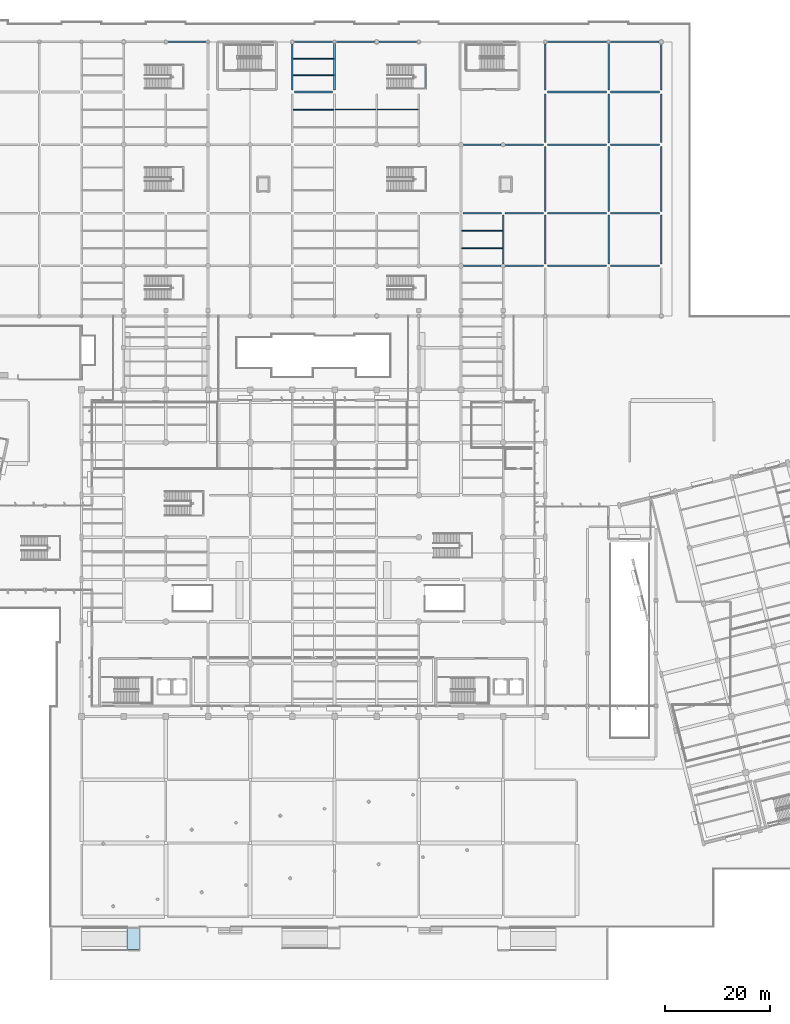
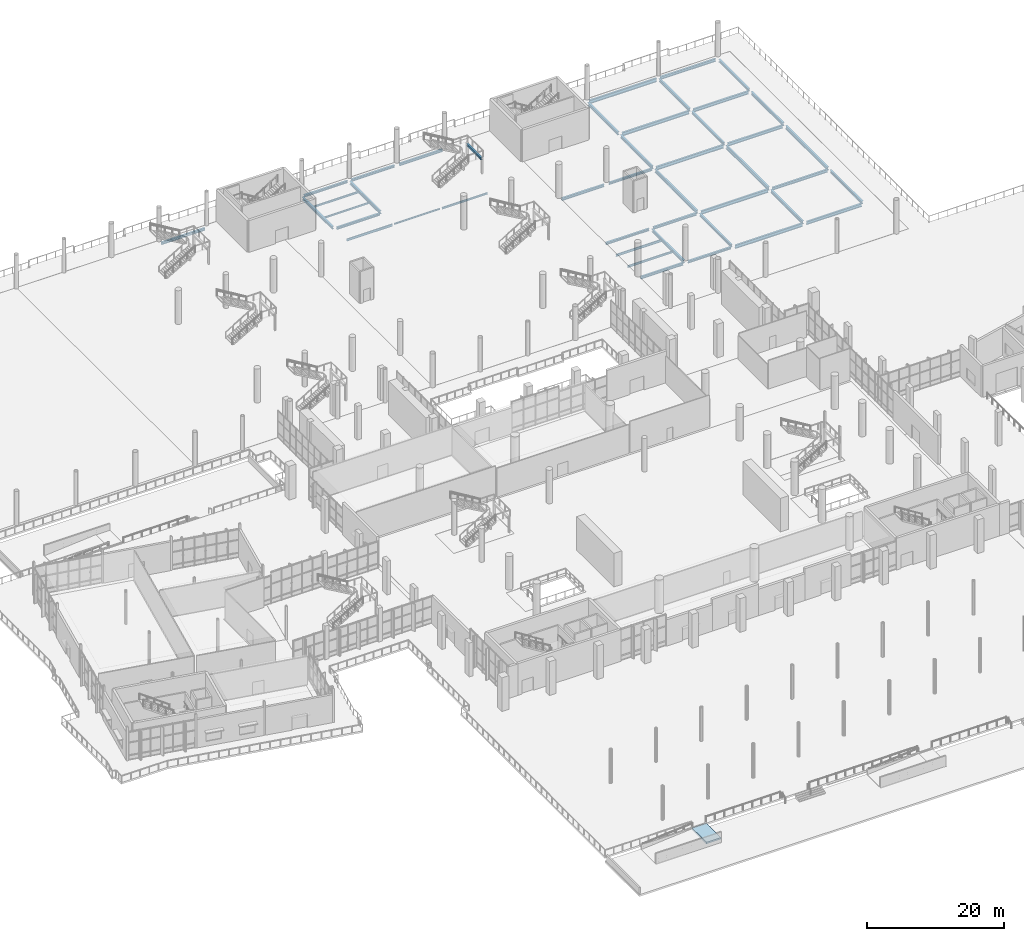
# One storey, part 108 of 163: 44 beams, 1 slab, 1 element without a shape of its own.
"""IFC4 building model written with IfcOpenShell, lengths in metres."""

from ifc_helpers import new_model, si_unit, direction, frame, origin, origin_2d, place, context, subcontext, project, spatial, polyline, i_section, outline, extrude, material, layer, layer_set, material_profile, profile_set, type_object, element, aggregate, save


model = new_model("IFC4")

# Units and contexts
model_context = context("Model", 3, precision=1e-05, world=origin(), true_north=direction((0.0, 1.0)))
body_context = subcontext(model_context, "Body", "Model", "MODEL_VIEW")
ifc_project = project(units=[si_unit("LENGTHUNIT", "METRE"), si_unit("AREAUNIT", "SQUARE_METRE"), si_unit("VOLUMEUNIT", "CUBIC_METRE"), si_unit("PLANEANGLEUNIT", "RADIAN"), si_unit("MASSUNIT", "GRAM", prefix="KILO")], contexts=[model_context])

# Site, building, storey
site_placement = place(None, origin())
site = spatial("IfcSite", under=ifc_project, at=site_placement, CompositionType="ELEMENT")
building_placement = place(site_placement, origin())
building = spatial("IfcBuilding", under=site, at=building_placement, Name="Khorjan Park Terminus", CompositionType="ELEMENT")
storey_placement = place(building_placement, origin())
storey = spatial("IfcBuildingStorey", under=building, at=storey_placement, Name="L00", CompositionType="ELEMENT", Elevation=0.0)

# Beams
ifc_material_1 = material(Name="Steel S355", Category="steel")
ifc_material_profile_1 = material_profile(ifc_material_1, i_section(OverallWidth=0.3, OverallDepth=0.39, WebThickness=0.011, FlangeThickness=0.019, FilletRadius=0.027, at=origin_2d()), Name="HEA 400")
ifc_profile_set_1 = profile_set([ifc_material_profile_1], Name="Steel S355")
beam_type_1 = type_object("IfcBeamType", Name="BM-HEA400", PredefinedType="BEAM", material=ifc_profile_set_1)
for number, where, z_axis, x_axis, name in (
    (1, (128.395, 111.5, -0.575), (1.0, 0.0, 0.0), (0.0, 1.0, 0.0), "Primary floor girder SB-A40 (L00)"),
    (2, (128.395, 134.5, -0.575), (1.0, 0.0, 0.0), (0.0, 1.0, 0.0), "Primary floor girder SB-A40 (L00)"),
):
    element("IfcBeam", number, at=place(storey_placement, frame(where, z_axis=z_axis, x_axis=x_axis)), inside=storey, type_object=beam_type_1, Name=name, PredefinedType="BEAM", context=body_context, shape_type="SweptSolid", body=[
        extrude(i_section(OverallWidth=0.3, OverallDepth=0.39, WebThickness=0.011, FlangeThickness=0.019, FilletRadius=0.027, at=origin_2d()), origin(), (0.0, 0.0, 1.0), 7.235),
    ])
beam_1_placement = place(storey_placement, frame((88.3505, 154.0, -0.595), z_axis=(1.0, 0.0, 0.0), x_axis=(0.0, 1.0, 0.0)))
element("IfcBeam", 3, at=beam_1_placement, inside=storey, type_object=beam_type_1, Name="Primary floor girder SB-A40 (L00)", PredefinedType="BEAM", context=body_context, shape_type="SweptSolid", body=[
    extrude(i_section(OverallWidth=0.3, OverallDepth=0.39, WebThickness=0.011, FlangeThickness=0.019, FilletRadius=0.027, at=origin_2d()), origin(), (0.0, 0.0, 1.0), 7.3495),
])
beam_2_placement = place(storey_placement, frame((113.25, 145.22, 2.605), z_axis=(0.0, 1.0, 0.0), x_axis=(-1.0, 0.0, 0.0)))
element("IfcBeam", 4, at=beam_2_placement, inside=storey, type_object=beam_type_1, Name="Stair PS-06 half-landing support beam SB-A40", PredefinedType="BEAM", context=body_context, shape_type="SweptSolid", body=[
    extrude(i_section(OverallWidth=0.3, OverallDepth=0.39, WebThickness=0.011, FlangeThickness=0.019, FilletRadius=0.027, at=origin_2d()), origin(), (0.0, 0.0, 1.0), 4.26),
])
ifc_material_profile_2 = material_profile(ifc_material_1, i_section(OverallWidth=0.3, OverallDepth=0.44, WebThickness=0.0115, FlangeThickness=0.021, FilletRadius=0.027, at=origin_2d()), Name="HEA 450")
ifc_profile_set_2 = profile_set([ifc_material_profile_2], Name="Steel S355")
beam_type_2 = type_object("IfcBeamType", Name="BM-HEA450", PredefinedType="BEAM", material=ifc_profile_set_2)
beam_3_placement = place(storey_placement, frame((128.345, 121.5, -0.6), z_axis=(1.0, 0.0, 0.0), x_axis=(0.0, 1.0, 0.0)))
element("IfcBeam", 5, at=beam_3_placement, inside=storey, type_object=beam_type_2, Name="Primary floor girder SB-A45 (L00)", PredefinedType="BEAM", context=body_context, shape_type="SweptSolid", body=[
    extrude(i_section(OverallWidth=0.3, OverallDepth=0.44, WebThickness=0.0115, FlangeThickness=0.021, FilletRadius=0.027, at=origin_2d()), origin(), (0.0, 0.0, 1.0), 7.285),
])
beam_4_placement = place(storey_placement, frame((104.4015, 154.0, -0.62), z_axis=(1.0, 0.0, 0.0), x_axis=(0.0, 1.0, 0.0)))
element("IfcBeam", 6, at=beam_4_placement, inside=storey, type_object=beam_type_2, Name="Primary floor girder SB-A45 (L00)", PredefinedType="BEAM", context=body_context, shape_type="SweptSolid", body=[
    extrude(i_section(OverallWidth=0.3, OverallDepth=0.44, WebThickness=0.0115, FlangeThickness=0.021, FilletRadius=0.027, at=origin_2d()), origin(), (0.0, 0.0, 1.0), 7.248),
])
ifc_material_profile_3 = material_profile(ifc_material_1, i_section(OverallWidth=0.3, OverallDepth=0.49, WebThickness=0.012, FlangeThickness=0.023, FilletRadius=0.027, at=origin_2d()), Name="HEA 500")
ifc_profile_set_3 = profile_set([ifc_material_profile_3], Name="Steel S355")
beam_type_3 = type_object("IfcBeamType", Name="BM-HEA500", PredefinedType="BEAM", material=ifc_profile_set_3)
beam_5_placement = place(storey_placement, frame((148.345, 121.5, -0.625), z_axis=(1.0, 0.0, 0.0), x_axis=(0.0, 1.0, 0.0)))
element("IfcBeam", 7, at=beam_5_placement, inside=storey, type_object=beam_type_3, Name="Primary floor girder SB-A50 (L00)", PredefinedType="BEAM", context=body_context, shape_type="SweptSolid", body=[
    extrude(i_section(OverallWidth=0.3, OverallDepth=0.49, WebThickness=0.012, FlangeThickness=0.023, FilletRadius=0.027, at=origin_2d()), origin(), (0.0, 0.0, 1.0), 9.285),
])
beam_6_placement = place(storey_placement, frame((148.3, 154.0, -0.625), z_axis=(1.0, 0.0, 0.0), x_axis=(0.0, 1.0, 0.0)))
element("IfcBeam", 8, at=beam_6_placement, inside=storey, type_object=beam_type_3, Name="Primary floor girder SB-A50 (L00)", PredefinedType="BEAM", context=body_context, shape_type="SweptSolid", body=[
    extrude(i_section(OverallWidth=0.3, OverallDepth=0.49, WebThickness=0.012, FlangeThickness=0.023, FilletRadius=0.027, at=origin_2d()), origin(), (0.0, 0.0, 1.0), 9.2985),
])
beam_7_placement = place(storey_placement, frame((88.0, 144.87, -0.645), z_axis=(0.0, 1.0, 0.0), x_axis=(-1.0, 0.0, 0.0)))
element("IfcBeam", 9, at=beam_7_placement, inside=storey, type_object=beam_type_3, Name="Primary floor girder SB-A50 (L00)", PredefinedType="BEAM", context=body_context, shape_type="SweptSolid", body=[
    extrude(i_section(OverallWidth=0.3, OverallDepth=0.49, WebThickness=0.012, FlangeThickness=0.023, FilletRadius=0.027, at=origin_2d()), origin(), (0.0, 0.0, 1.0), 8.7795),
])
beam_8_placement = place(storey_placement, frame((136.0, 111.87, -0.625), z_axis=(0.0, 1.0, 0.0), x_axis=(-1.0, 0.0, 0.0)))
element("IfcBeam", 10, at=beam_8_placement, inside=storey, type_object=beam_type_3, Name="Primary floor girder SB-A50 (L00)", PredefinedType="BEAM", context=body_context, shape_type="SweptSolid", body=[
    extrude(i_section(OverallWidth=0.3, OverallDepth=0.49, WebThickness=0.012, FlangeThickness=0.023, FilletRadius=0.027, at=origin_2d()), origin(), (0.0, 0.0, 1.0), 9.26),
])
beam_9_placement = place(storey_placement, frame((158.0, 144.87, -0.625), z_axis=(0.0, 1.0, 0.0), x_axis=(-1.0, 0.0, 0.0)))
element("IfcBeam", 11, at=beam_9_placement, inside=storey, type_object=beam_type_3, Name="Primary floor girder SB-A50 (L00)", PredefinedType="BEAM", context=body_context, shape_type="SweptSolid", body=[
    extrude(i_section(OverallWidth=0.3, OverallDepth=0.49, WebThickness=0.012, FlangeThickness=0.023, FilletRadius=0.027, at=origin_2d()), origin(), (0.0, 0.0, 1.0), 8.7285),
])
ifc_material_profile_4 = material_profile(ifc_material_1, i_section(OverallWidth=0.3, OverallDepth=0.54, WebThickness=0.0125, FlangeThickness=0.024, FilletRadius=0.027, at=origin_2d()), Name="HEA 550")
ifc_profile_set_4 = profile_set([ifc_material_profile_4], Name="Steel S355")
beam_type_4 = type_object("IfcBeamType", Name="BM-HEA550", PredefinedType="BEAM", material=ifc_profile_set_4)
for number, where, z_axis, x_axis, name in (
    (12, (148.345, 111.5, -0.65), (1.0, 0.0, 0.0), (0.0, 1.0, 0.0), "Primary floor girder SB-A55 (L00)"),
    (13, (148.345, 134.5, -0.65), (1.0, 0.0, 0.0), (0.0, 1.0, 0.0), "Primary floor girder SB-A55 (L00)"),
):
    element("IfcBeam", number, at=place(storey_placement, frame(where, z_axis=z_axis, x_axis=x_axis)), inside=storey, type_object=beam_type_4, Name=name, PredefinedType="BEAM", context=body_context, shape_type="SweptSolid", body=[
        extrude(i_section(OverallWidth=0.3, OverallDepth=0.54, WebThickness=0.0125, FlangeThickness=0.024, FilletRadius=0.027, at=origin_2d()), origin(), (0.0, 0.0, 1.0), 9.285),
    ])
for number, where, z_axis, x_axis, name in (
    (14, (128.0, 111.895, -0.65), (0.0, 1.0, 0.0), (-1.0, 0.0, 0.0), "Primary floor girder SB-A55 (L00)"),
    (15, (136.0, 134.87, -0.65), (0.0, 1.0, 0.0), (-1.0, 0.0, 0.0), "Primary floor girder SB-A55 (L00)"),
):
    element("IfcBeam", number, at=place(storey_placement, frame(where, z_axis=z_axis, x_axis=x_axis)), inside=storey, type_object=beam_type_4, Name=name, PredefinedType="BEAM", context=body_context, shape_type="SweptSolid", body=[
        extrude(i_section(OverallWidth=0.3, OverallDepth=0.54, WebThickness=0.0125, FlangeThickness=0.024, FilletRadius=0.027, at=origin_2d()), origin(), (0.0, 0.0, 1.0), 9.26),
    ])
beam_10_placement = place(storey_placement, frame((148.0, 144.845, -0.65), z_axis=(0.0, 1.0, 0.0), x_axis=(-1.0, 0.0, 0.0)))
element("IfcBeam", 16, at=beam_10_placement, inside=storey, type_object=beam_type_4, Name="Primary floor girder SB-A55 (L00)", PredefinedType="BEAM", context=body_context, shape_type="SweptSolid", body=[
    extrude(i_section(OverallWidth=0.3, OverallDepth=0.54, WebThickness=0.0125, FlangeThickness=0.024, FilletRadius=0.027, at=origin_2d()), origin(), (0.0, 0.0, 1.0), 8.855),
])
ifc_material_profile_5 = material_profile(ifc_material_1, i_section(OverallWidth=0.3, OverallDepth=0.59, WebThickness=0.013, FlangeThickness=0.025, FilletRadius=0.027, at=origin_2d()), Name="HEA 600")
ifc_profile_set_5 = profile_set([ifc_material_profile_5], Name="Steel S355")
beam_type_5 = type_object("IfcBeamType", Name="BM-HEA600", PredefinedType="BEAM", material=ifc_profile_set_5)
for number, where, z_axis, x_axis, name in (
    (17, (136.0, 121.87, -0.675), (0.0, 1.0, 0.0), (-1.0, 0.0, 0.0), "Primary floor girder SB-A60 (L00)"),
    (18, (158.0, 121.87, -0.675), (0.0, 1.0, 0.0), (-1.0, 0.0, 0.0), "Primary floor girder SB-A60 (L00)"),
):
    element("IfcBeam", number, at=place(storey_placement, frame(where, z_axis=z_axis, x_axis=x_axis)), inside=storey, type_object=beam_type_5, Name=name, PredefinedType="BEAM", context=body_context, shape_type="SweptSolid", body=[
        extrude(i_section(OverallWidth=0.3, OverallDepth=0.59, WebThickness=0.013, FlangeThickness=0.025, FilletRadius=0.027, at=origin_2d()), origin(), (0.0, 0.0, 1.0), 12.26),
    ])
ifc_material_profile_6 = material_profile(ifc_material_1, i_section(OverallWidth=0.3, OverallDepth=0.64, WebThickness=0.0135, FlangeThickness=0.026, FilletRadius=0.027, at=origin_2d()), Name="HEA 650")
ifc_profile_set_6 = profile_set([ifc_material_profile_6], Name="Steel S355")
beam_type_6 = type_object("IfcBeamType", Name="BM-HEA650", PredefinedType="BEAM", material=ifc_profile_set_6)
beam_11_placement = place(storey_placement, frame((136.3505, 154.0, -0.7), z_axis=(1.0, 0.0, 0.0), x_axis=(0.0, 1.0, 0.0)))
element("IfcBeam", 19, at=beam_11_placement, inside=storey, type_object=beam_type_6, Name="Primary floor girder SB-A65 (L00)", PredefinedType="BEAM", context=body_context, shape_type="SweptSolid", body=[
    extrude(i_section(OverallWidth=0.3, OverallDepth=0.64, WebThickness=0.0135, FlangeThickness=0.026, FilletRadius=0.027, at=origin_2d()), origin(), (0.0, 0.0, 1.0), 11.3495),
])
beam_12_placement = place(storey_placement, frame((148.0, 121.845, -0.7), z_axis=(0.0, 1.0, 0.0), x_axis=(-1.0, 0.0, 0.0)))
element("IfcBeam", 20, at=beam_12_placement, inside=storey, type_object=beam_type_6, Name="Primary floor girder SB-A65 (L00)", PredefinedType="BEAM", context=body_context, shape_type="SweptSolid", body=[
    extrude(i_section(OverallWidth=0.3, OverallDepth=0.64, WebThickness=0.0135, FlangeThickness=0.026, FilletRadius=0.027, at=origin_2d()), origin(), (0.0, 0.0, 1.0), 12.31),
])
ifc_material_profile_7 = material_profile(ifc_material_1, i_section(OverallWidth=0.3, OverallDepth=0.4, WebThickness=0.0135, FlangeThickness=0.024, FilletRadius=0.027, at=origin_2d()), Name="HEB 400")
ifc_profile_set_7 = profile_set([ifc_material_profile_7], Name="Steel S355")
beam_type_7 = type_object("IfcBeamType", Name="BM-HEB400", PredefinedType="BEAM", material=ifc_profile_set_7)
for number, where, z_axis, x_axis, name in (
    (21, (120.37, 121.5, -0.58), (1.0, 0.0, 0.0), (0.0, 1.0, 0.0), "Primary floor girder SB-B40 (L00)"),
    (22, (88.37, 144.5, -0.6), (1.0, 0.0, 0.0), (0.0, 1.0, 0.0), "Primary floor girder SB-B40 (L00)"),
):
    element("IfcBeam", number, at=place(storey_placement, frame(where, z_axis=z_axis, x_axis=x_axis)), inside=storey, type_object=beam_type_7, Name=name, PredefinedType="BEAM", context=body_context, shape_type="SweptSolid", body=[
        extrude(i_section(OverallWidth=0.3, OverallDepth=0.4, WebThickness=0.0135, FlangeThickness=0.024, FilletRadius=0.027, at=origin_2d()), origin(), (0.0, 0.0, 1.0), 7.285),
    ])
beam_13_placement = place(storey_placement, frame((96.3, 154.0, -0.6), z_axis=(1.0, 0.0, 0.0), x_axis=(0.0, 1.0, 0.0)))
element("IfcBeam", 23, at=beam_13_placement, inside=storey, type_object=beam_type_7, Name="Primary floor girder SB-B40 (L00)", PredefinedType="BEAM", context=body_context, shape_type="SweptSolid", body=[
    extrude(i_section(OverallWidth=0.3, OverallDepth=0.4, WebThickness=0.0135, FlangeThickness=0.024, FilletRadius=0.027, at=origin_2d()), origin(), (0.0, 0.0, 1.0), 7.2985),
])
ifc_material_profile_8 = material_profile(ifc_material_1, i_section(OverallWidth=0.3, OverallDepth=0.45, WebThickness=0.014, FlangeThickness=0.026, FilletRadius=0.027, at=origin_2d()), Name="HEB 450")
ifc_profile_set_8 = profile_set([ifc_material_profile_8], Name="Steel S355")
beam_type_8 = type_object("IfcBeamType", Name="BM-HEB450", PredefinedType="BEAM", material=ifc_profile_set_8)
for number, where, z_axis, x_axis, name in (
    (24, (120.47, 111.5, -0.605), (1.0, 0.0, 0.0), (0.0, 1.0, 0.0), "Primary floor girder SB-B45 (L00)"),
    (25, (120.47, 134.5, -0.605), (1.0, 0.0, 0.0), (0.0, 1.0, 0.0), "Primary floor girder SB-B45 (L00)"),
):
    element("IfcBeam", number, at=place(storey_placement, frame(where, z_axis=z_axis, x_axis=x_axis)), inside=storey, type_object=beam_type_8, Name=name, PredefinedType="BEAM", context=body_context, shape_type="SweptSolid", body=[
        extrude(i_section(OverallWidth=0.3, OverallDepth=0.45, WebThickness=0.014, FlangeThickness=0.026, FilletRadius=0.027, at=origin_2d()), origin(), (0.0, 0.0, 1.0), 7.135),
    ])
beam_14_placement = place(storey_placement, frame((64.3505, 154.0, -0.625), z_axis=(1.0, 0.0, 0.0), x_axis=(0.0, 1.0, 0.0)))
element("IfcBeam", 26, at=beam_14_placement, inside=storey, type_object=beam_type_8, Name="Primary floor girder SB-B45 (L00)", PredefinedType="BEAM", context=body_context, shape_type="SweptSolid", body=[
    extrude(i_section(OverallWidth=0.3, OverallDepth=0.45, WebThickness=0.014, FlangeThickness=0.026, FilletRadius=0.027, at=origin_2d()), origin(), (0.0, 0.0, 1.0), 7.3495),
])
ifc_material_profile_9 = material_profile(ifc_material_1, i_section(OverallWidth=0.3, OverallDepth=0.5, WebThickness=0.0145, FlangeThickness=0.028, FilletRadius=0.027, at=origin_2d()), Name="HEB 500")
ifc_profile_set_9 = profile_set([ifc_material_profile_9], Name="Steel S355")
beam_type_9 = type_object("IfcBeamType", Name="BM-HEB500", PredefinedType="BEAM", material=ifc_profile_set_9)
beam_15_placement = place(storey_placement, frame((148.0, 134.845, -0.63), z_axis=(0.0, 1.0, 0.0), x_axis=(-1.0, 0.0, 0.0)))
element("IfcBeam", 27, at=beam_15_placement, inside=storey, type_object=beam_type_9, Name="Primary floor girder SB-B50 (L00)", PredefinedType="BEAM", context=body_context, shape_type="SweptSolid", body=[
    extrude(i_section(OverallWidth=0.3, OverallDepth=0.5, WebThickness=0.0145, FlangeThickness=0.028, FilletRadius=0.027, at=origin_2d()), origin(), (0.0, 0.0, 1.0), 9.31),
])
beam_16_placement = place(storey_placement, frame((158.0, 111.87, -0.63), z_axis=(0.0, 1.0, 0.0), x_axis=(-1.0, 0.0, 0.0)))
element("IfcBeam", 28, at=beam_16_placement, inside=storey, type_object=beam_type_9, Name="Primary floor girder SB-B50 (L00)", PredefinedType="BEAM", context=body_context, shape_type="SweptSolid", body=[
    extrude(i_section(OverallWidth=0.3, OverallDepth=0.5, WebThickness=0.0145, FlangeThickness=0.028, FilletRadius=0.027, at=origin_2d()), origin(), (0.0, 0.0, 1.0), 9.26),
])
ifc_material_profile_10 = material_profile(ifc_material_1, i_section(OverallWidth=0.3, OverallDepth=0.55, WebThickness=0.015, FlangeThickness=0.029, FilletRadius=0.027, at=origin_2d()), Name="HEB 550")
ifc_profile_set_10 = profile_set([ifc_material_profile_10], Name="Steel S355")
beam_type_10 = type_object("IfcBeamType", Name="BM-HEB550", PredefinedType="BEAM", material=ifc_profile_set_10)
beam_17_placement = place(storey_placement, frame((148.345, 144.5, -0.655), z_axis=(1.0, 0.0, 0.0), x_axis=(0.0, 1.0, 0.0)))
element("IfcBeam", 29, at=beam_17_placement, inside=storey, type_object=beam_type_10, Name="Primary floor girder SB-B55 (L00)", PredefinedType="BEAM", context=body_context, shape_type="SweptSolid", body=[
    extrude(i_section(OverallWidth=0.3, OverallDepth=0.55, WebThickness=0.015, FlangeThickness=0.029, FilletRadius=0.027, at=origin_2d()), origin(), (0.0, 0.0, 1.0), 9.285),
])
beam_18_placement = place(storey_placement, frame((96.0, 144.845, -0.675), z_axis=(0.0, 1.0, 0.0), x_axis=(-1.0, 0.0, 0.0)))
element("IfcBeam", 30, at=beam_18_placement, inside=storey, type_object=beam_type_10, Name="Primary floor girder SB-B55 (L00)", PredefinedType="BEAM", context=body_context, shape_type="SweptSolid", body=[
    extrude(i_section(OverallWidth=0.3, OverallDepth=0.55, WebThickness=0.015, FlangeThickness=0.029, FilletRadius=0.027, at=origin_2d()), origin(), (0.0, 0.0, 1.0), 8.855),
])
beam_19_placement = place(storey_placement, frame((136.0, 144.87, -0.655), z_axis=(0.0, 1.0, 0.0), x_axis=(-1.0, 0.0, 0.0)))
element("IfcBeam", 31, at=beam_19_placement, inside=storey, type_object=beam_type_10, Name="Primary floor girder SB-B55 (L00)", PredefinedType="BEAM", context=body_context, shape_type="SweptSolid", body=[
    extrude(i_section(OverallWidth=0.3, OverallDepth=0.55, WebThickness=0.015, FlangeThickness=0.029, FilletRadius=0.027, at=origin_2d()), origin(), (0.0, 0.0, 1.0), 8.7795),
])
beam_20_placement = place(storey_placement, frame((148.0, 111.845, -0.655), z_axis=(0.0, 1.0, 0.0), x_axis=(-1.0, 0.0, 0.0)))
element("IfcBeam", 32, at=beam_20_placement, inside=storey, type_object=beam_type_10, Name="Primary floor girder SB-B55 (L00)", PredefinedType="BEAM", context=body_context, shape_type="SweptSolid", body=[
    extrude(i_section(OverallWidth=0.3, OverallDepth=0.55, WebThickness=0.015, FlangeThickness=0.029, FilletRadius=0.027, at=origin_2d()), origin(), (0.0, 0.0, 1.0), 9.31),
])
beam_21_placement = place(storey_placement, frame((158.0, 134.87, -0.655), z_axis=(0.0, 1.0, 0.0), x_axis=(-1.0, 0.0, 0.0)))
element("IfcBeam", 33, at=beam_21_placement, inside=storey, type_object=beam_type_10, Name="Primary floor girder SB-B55 (L00)", PredefinedType="BEAM", context=body_context, shape_type="SweptSolid", body=[
    extrude(i_section(OverallWidth=0.3, OverallDepth=0.55, WebThickness=0.015, FlangeThickness=0.029, FilletRadius=0.027, at=origin_2d()), origin(), (0.0, 0.0, 1.0), 9.26),
])
ifc_material_profile_11 = material_profile(ifc_material_1, i_section(OverallWidth=0.3, OverallDepth=0.6, WebThickness=0.0155, FlangeThickness=0.03, FilletRadius=0.027, at=origin_2d()), Name="HEB 600")
ifc_profile_set_11 = profile_set([ifc_material_profile_11], Name="Steel S355")
beam_type_11 = type_object("IfcBeamType", Name="BM-HEB600", PredefinedType="BEAM", material=ifc_profile_set_11)
for number, where, z_axis, x_axis, name in (
    (34, (136.37, 111.5, -0.68), (1.0, 0.0, 0.0), (0.0, 1.0, 0.0), "Primary floor girder SB-B60 (L00)"),
    (35, (136.37, 121.5, -0.68), (1.0, 0.0, 0.0), (0.0, 1.0, 0.0), "Primary floor girder SB-B60 (L00)"),
    (36, (136.37, 134.5, -0.68), (1.0, 0.0, 0.0), (0.0, 1.0, 0.0), "Primary floor girder SB-B60 (L00)"),
    (37, (136.37, 144.5, -0.68), (1.0, 0.0, 0.0), (0.0, 1.0, 0.0), "Primary floor girder SB-B60 (L00)"),
):
    element("IfcBeam", number, at=place(storey_placement, frame(where, z_axis=z_axis, x_axis=x_axis)), inside=storey, type_object=beam_type_11, Name=name, PredefinedType="BEAM", context=body_context, shape_type="SweptSolid", body=[
        extrude(i_section(OverallWidth=0.3, OverallDepth=0.6, WebThickness=0.0155, FlangeThickness=0.03, FilletRadius=0.027, at=origin_2d()), origin(), (0.0, 0.0, 1.0), 11.285),
    ])
ifc_material_profile_12 = material_profile(ifc_material_1, i_section(OverallWidth=0.135, OverallDepth=0.27, WebThickness=0.0066, FlangeThickness=0.0102, FilletRadius=0.015, at=origin_2d()), Name="IPE 270")
ifc_profile_set_12 = profile_set([ifc_material_profile_12], Name="Steel S355")
beam_type_12 = type_object("IfcBeamType", Name="JS-IPE270", PredefinedType="JOIST", material=ifc_profile_set_12)
beam_22_placement = place(storey_placement, frame((96.15, 141.1667, -0.535), z_axis=(1.0, 0.0, 0.0), x_axis=(0.0, 1.0, 0.0)))
element("IfcBeam", 38, at=beam_22_placement, inside=storey, type_object=beam_type_12, Name="Secondary composite floor joist SJ-27 (L00)", PredefinedType="JOIST", context=body_context, shape_type="SweptSolid", body=[
    extrude(i_section(OverallWidth=0.135, OverallDepth=0.27, WebThickness=0.0066, FlangeThickness=0.0102, FilletRadius=0.015, at=origin_2d()), origin(), (0.0, 0.0, 1.0), 7.7),
])
ifc_material_profile_13 = material_profile(ifc_material_1, i_section(OverallWidth=0.15, OverallDepth=0.3, WebThickness=0.0071, FlangeThickness=0.0107, FilletRadius=0.015, at=origin_2d()), Name="IPE 300")
ifc_profile_set_13 = profile_set([ifc_material_profile_13], Name="Steel S355")
beam_type_13 = type_object("IfcBeamType", Name="JS-IPE300", PredefinedType="JOIST", material=ifc_profile_set_13)
beam_23_placement = place(storey_placement, frame((88.15, 147.6667, -0.55), z_axis=(1.0, 0.0, 0.0), x_axis=(0.0, 1.0, 0.0)))
element("IfcBeam", 39, at=beam_23_placement, inside=storey, type_object=beam_type_13, Name="Secondary composite floor joist SJ-30 (L00)", PredefinedType="JOIST", context=body_context, shape_type="SweptSolid", body=[
    extrude(i_section(OverallWidth=0.15, OverallDepth=0.3, WebThickness=0.0071, FlangeThickness=0.0107, FilletRadius=0.015, at=origin_2d()), origin(), (0.0, 0.0, 1.0), 7.7),
])
ifc_material_profile_14 = material_profile(ifc_material_1, i_section(OverallWidth=0.16, OverallDepth=0.33, WebThickness=0.0075, FlangeThickness=0.0115, FilletRadius=0.018, at=origin_2d()), Name="IPE 330")
ifc_profile_set_14 = profile_set([ifc_material_profile_14], Name="Steel S355")
beam_type_14 = type_object("IfcBeamType", Name="JS-IPE330", PredefinedType="JOIST", material=ifc_profile_set_14)
for number, where, z_axis, x_axis, name in (
    (40, (88.15, 150.8333, -0.565), (1.0, 0.0, 0.0), (0.0, 1.0, 0.0), "Secondary composite floor joist SJ-33 (L00)"),
    (41, (104.15, 141.1667, -0.565), (1.0, 0.0, 0.0), (0.0, 1.0, 0.0), "Secondary composite floor joist SJ-33 (L00)"),
):
    element("IfcBeam", number, at=place(storey_placement, frame(where, z_axis=z_axis, x_axis=x_axis)), inside=storey, type_object=beam_type_14, Name=name, PredefinedType="JOIST", context=body_context, shape_type="SweptSolid", body=[
        extrude(i_section(OverallWidth=0.16, OverallDepth=0.33, WebThickness=0.0075, FlangeThickness=0.0115, FilletRadius=0.018, at=origin_2d()), origin(), (0.0, 0.0, 1.0), 7.7),
    ])
ifc_material_profile_15 = material_profile(ifc_material_1, i_section(OverallWidth=0.17, OverallDepth=0.36, WebThickness=0.008, FlangeThickness=0.0127, FilletRadius=0.018, at=origin_2d()), Name="IPE 360")
ifc_profile_set_15 = profile_set([ifc_material_profile_15], Name="Steel S355")
beam_type_15 = type_object("IfcBeamType", Name="JS-IPE360", PredefinedType="JOIST", material=ifc_profile_set_15)
beam_24_placement = place(storey_placement, frame((120.15, 114.8333, -0.58), z_axis=(1.0, 0.0, 0.0), x_axis=(0.0, 1.0, 0.0)))
element("IfcBeam", 42, at=beam_24_placement, inside=storey, type_object=beam_type_15, Name="Secondary composite floor joist SJ-36 (L00)", PredefinedType="JOIST", context=body_context, shape_type="SweptSolid", body=[
    extrude(i_section(OverallWidth=0.17, OverallDepth=0.36, WebThickness=0.008, FlangeThickness=0.0127, FilletRadius=0.018, at=origin_2d()), origin(), (0.0, 0.0, 1.0), 7.7),
])
ifc_material_profile_16 = material_profile(ifc_material_1, i_section(OverallWidth=0.18, OverallDepth=0.4, WebThickness=0.0086, FlangeThickness=0.0135, FilletRadius=0.021, at=origin_2d()), Name="IPE 400")
ifc_profile_set_16 = profile_set([ifc_material_profile_16], Name="Steel S355")
beam_type_16 = type_object("IfcBeamType", Name="JS-IPE400", PredefinedType="JOIST", material=ifc_profile_set_16)
for number, where, z_axis, x_axis, name in (
    (43, (88.15, 141.1667, -0.6), (1.0, 0.0, 0.0), (0.0, 1.0, 0.0), "Secondary composite floor joist SJ-40 (L00)"),
    (44, (120.15, 118.1667, -0.6), (1.0, 0.0, 0.0), (0.0, 1.0, 0.0), "Secondary composite floor joist SJ-40 (L00)"),
):
    element("IfcBeam", number, at=place(storey_placement, frame(where, z_axis=z_axis, x_axis=x_axis)), inside=storey, type_object=beam_type_16, Name=name, PredefinedType="JOIST", context=body_context, shape_type="SweptSolid", body=[
        extrude(i_section(OverallWidth=0.18, OverallDepth=0.4, WebThickness=0.0086, FlangeThickness=0.0135, FilletRadius=0.021, at=origin_2d()), origin(), (0.0, 0.0, 1.0), 7.7),
    ])

# Ramp, slab
ifc_material_2 = material(Name="Concrete C40/50", Category="concrete")
ramp_type = type_object("IfcRampType", Name="RMP-ACC-400", PredefinedType="STRAIGHT_RUN_RAMP", material=ifc_material_2)
ramp_placement = place(storey_placement, origin())
ramp = element("IfcRamp", 45, at=ramp_placement, inside=storey, type_object=ramp_type, Name="Accessible 1:12 site-grade approach ramp AR-01", PredefinedType="STRAIGHT_RUN_RAMP")
ifc_layer = layer(ifc_material_2, 0.29)
ifc_layer_set = layer_set([ifc_layer], Name="Concrete C40/50")
slab_type = type_object("IfcSlabType", Name="SL-LND-290", PredefinedType="LANDING", material=ifc_layer_set)
slab_placement = place(storey_placement, frame((0.0, 0.0, -0.29)))
slab = element("IfcSlab", 46, at=slab_placement, type_object=slab_type, Name="Accessible ramp top arrival landing (GRMP-S-W)", PredefinedType="LANDING", context=body_context, shape_type="SweptSolid", body=[
    extrude(outline(polyline([(56.625, -18.24), (59.04, -18.24), (59.04, -13.98), (56.625, -13.98), (56.625, -18.24)])), origin(), (0.0, 0.0, 1.0), 0.29),
])
aggregate(ramp, [slab])

save(model, "model.ifc")
